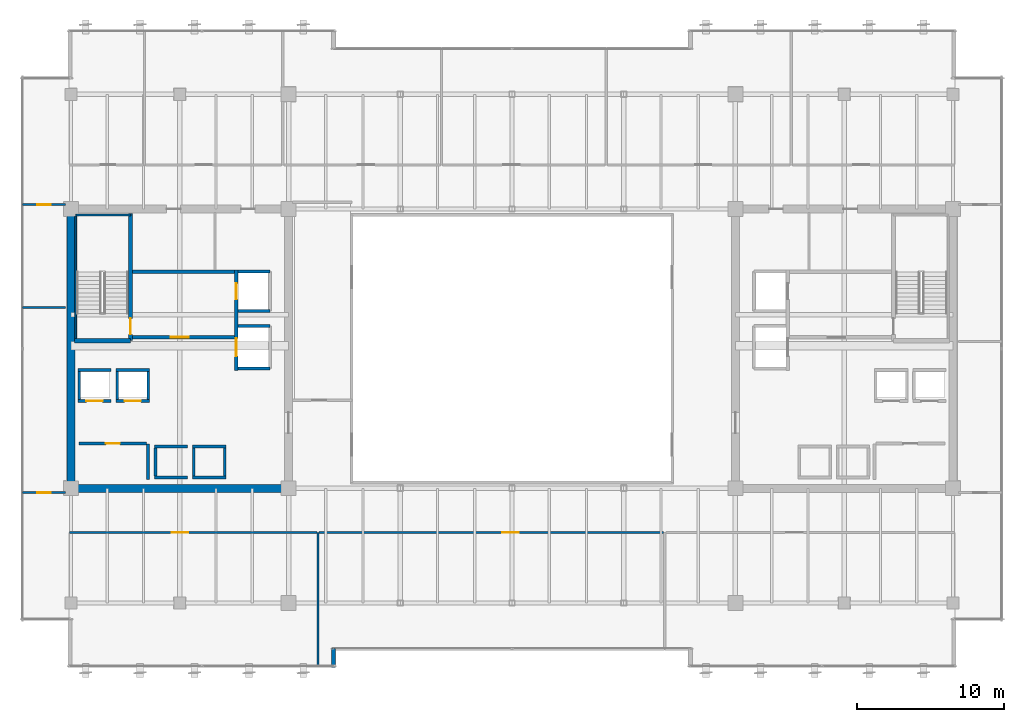
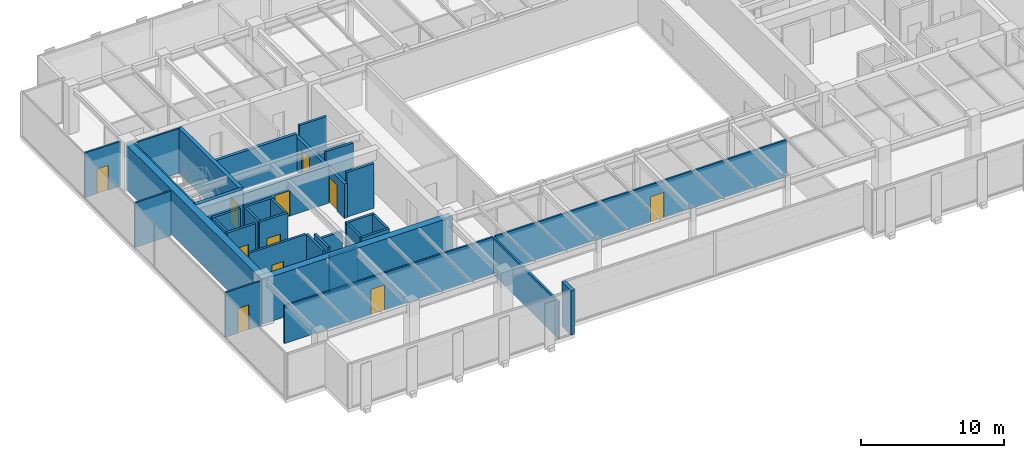
# One storey, part 28 of 35: 36 walls, 11 doors, 11 openings.
"""IFC4 building model written with IfcOpenShell, lengths in metres."""

from ifc_helpers import new_model, si_unit, direction, frame, frame_2d, origin, place, context, subcontext, project, spatial, rectangle, extrude, source, transform, mapped, material, layer, layer_set, type_object, type_shapes, element, fill, save


model = new_model("IFC4")

# Units and contexts
model_context = context("Model", 3, precision=1e-05, world=origin(), true_north=direction((0.0, 1.0)))
body_context = subcontext(model_context, "Body", "Model", "MODEL_VIEW")
ifc_project = project(units=[si_unit("LENGTHUNIT", "METRE"), si_unit("AREAUNIT", "SQUARE_METRE"), si_unit("VOLUMEUNIT", "CUBIC_METRE"), si_unit("PLANEANGLEUNIT", "RADIAN"), si_unit("MASSUNIT", "GRAM", prefix="KILO")], contexts=[model_context])

# Site, building, storey
site_placement = place(None, origin())
site = spatial("IfcSite", under=ifc_project, at=site_placement, CompositionType="ELEMENT")
building_placement = place(site_placement, origin())
building = spatial("IfcBuilding", under=site, at=building_placement, Name="Haelvirn Gate Laboratories", CompositionType="ELEMENT")
storey_placement = place(building_placement, frame((0.0, 0.0, 201.39990234375)))
storey = spatial("IfcBuildingStorey", under=building, at=storey_placement, Name="L48", CompositionType="ELEMENT", Elevation=201.39990234375)

# Walls
ifc_material_1 = material(Name="Thermally-broken bronze aluminium rainscreen & mineral wool", Category="aluminium")
ifc_layer_1 = layer(ifc_material_1, 0.280029296875, Name="EW-TERR-280")
ifc_layer_set_1 = layer_set([ifc_layer_1], Name="Thermally-broken bronze aluminium rainscreen & mineral wool")
wall_type_1 = type_object("IfcWallType", Name="EW-TERR-280", PredefinedType="STANDARD", material=ifc_layer_set_1)
wall_1_placement = place(storey_placement, frame((25.260009765625, 2.60009765625, 0.0), z_axis=(0.0, 0.0, 1.0), x_axis=(0.0, 1.0, 0.0)))
element("IfcWall", 1, at=wall_1_placement, inside=storey, type_object=wall_type_1, Name="L48 Atrium Recess Bronze Return Wall 01", PredefinedType="STANDARD", context=body_context, shape_type="SweptSolid", body=[
    extrude(rectangle(XDim=1.29296875, YDim=0.280029296875, at=frame_2d((0.646484375, 0.0))), origin(), (0.0, 0.0, 1.0), 3.800048828125),
])
ifc_material_2 = material(Name="Double-layer acoustic gypsum laboratory partition", Category="gypsum")
ifc_layer_2 = layer(ifc_material_2, 0.159912109375, Name="IW-ACOUST-160")
ifc_layer_set_2 = layer_set([ifc_layer_2], Name="Double-layer acoustic gypsum laboratory partition")
wall_type_2 = type_object("IfcWallType", Name="IW-ACOUST-160", PredefinedType="PARTITIONING", material=ifc_layer_set_2)
wall_2_placement = place(storey_placement, frame((24.199951171875, 2.7099609375, 0.0), z_axis=(0.0, 0.0, 1.0), x_axis=(0.0, 1.0, 0.0)))
element("IfcWall", 2, at=wall_2_placement, inside=storey, type_object=wall_type_2, Name="L48 Interior Wall IW-L48-SDIV-01", PredefinedType="PARTITIONING", context=body_context, shape_type="SweptSolid", body=[
    extrude(rectangle(XDim=9.080078125, YDim=0.159912109375, at=frame_2d((4.5400390625, 0.0))), origin(), (0.0, 0.0, 1.0), 3.135009765625),
])

# Wall, opening, door
ifc_material_3 = material(Name="Acoustic mineral-wool gypsum board partition", Category="gypsum")
ifc_layer_3 = layer(ifc_material_3, 0.139892578125, Name="IW-PART-140")
ifc_layer_set_3 = layer_set([ifc_layer_3], Name="Acoustic mineral-wool gypsum board partition")
wall_type_3 = type_object("IfcWallType", Name="IW-PART-140", PredefinedType="PARTITIONING", material=ifc_layer_set_3)
wall_3_placement = place(storey_placement, frame((7.31005859375, 11.7900390625, 0.0), z_axis=(0.0, 0.0, 1.0), x_axis=(1.0, 0.0, 0.0)))
wall_3 = element("IfcWall", 3, at=wall_3_placement, inside=storey, type_object=wall_type_3, Name="L48 Interior Wall IW-L48-SCORR-01", PredefinedType="PARTITIONING", context=body_context, shape_type="SweptSolid", body=[
    extrude(rectangle(XDim=16.81005859375, YDim=0.139892578125, at=frame_2d((8.405029296875, 0.0))), origin(), (0.0, 0.0, 1.0), 3.197021484375),
])
opening_1_placement = place(wall_3_placement, frame((6.954345703125, 0.0, 0.0)))
opening_1 = element("IfcOpeningElement", 4, at=opening_1_placement, cuts=wall_3, Name="Opening D1", PredefinedType="OPENING", context=body_context, shape_type="SweptSolid", body=[
    extrude(rectangle(XDim=1.10009765625, YDim=2.179931640625, at=frame_2d((0.550048828125, 1.08984375))), frame((0.0, 0.080078125, 0.0), z_axis=(0.0, -1.0, 0.0), x_axis=(1.0, 0.0, 0.0)), (0.0, 0.0, 1.0), 0.159912109375),
])
ifc_material_4 = material(Name="Vision-panel acoustic solid-core timber lab door", Category="wood")
door_type_1 = type_object("IfcDoorType", Name="DR-LAB-1100", OperationType="NOTDEFINED", PredefinedType="DOOR", material=ifc_material_4)
shared_shape_1 = source(origin(), body_context, "Body", "SweptSolid", [
    extrude(rectangle(XDim=1.10009765625, YDim=2.179931640625, at=frame_2d((0.550048828125, 1.08984375))), frame((0.0, 0.02490234375, 0.0), z_axis=(0.0, -1.0, 0.0), x_axis=(1.0, 0.0, 0.0)), (0.0, 0.0, 1.0), 0.050048828125),
])
type_shapes(door_type_1, [shared_shape_1])
door_1_placement = place(opening_1_placement, origin())
door_1 = element("IfcDoor", 5, at=door_1_placement, inside=storey, type_object=door_type_1, Name="L48 Translational Data Office Door S1", OperationType="SINGLE_SWING_LEFT", OverallHeight=2.179931640625, OverallWidth=1.10009765625, PredefinedType="DOOR", context=body_context, shape_type="MappedRepresentation", body=[
    mapped(shared_shape_1, transform((0.0, 0.0, 0.0), scale=1.0)),
])
fill(opening_1, door_1)

wall_4_placement = place(storey_placement, frame((24.280029296875, 11.7900390625, 0.0), z_axis=(0.0, 0.0, 1.0), x_axis=(1.0, 0.0, 0.0)))
wall_4 = element("IfcWall", 6, at=wall_4_placement, inside=storey, type_object=wall_type_3, Name="L48 Interior Wall IW-L48-SCORR-02", PredefinedType="PARTITIONING", context=body_context, shape_type="SweptSolid", body=[
    extrude(rectangle(XDim=23.43994140625, YDim=0.139892578125, at=frame_2d((11.719970703125, 0.0))), origin(), (0.0, 0.0, 1.0), 3.197021484375),
])
opening_2_placement = place(wall_4_placement, frame((12.468505859375, 0.0, 0.0)))
opening_2 = element("IfcOpeningElement", 7, at=opening_2_placement, cuts=wall_4, Name="Opening D1", PredefinedType="OPENING", context=body_context, shape_type="SweptSolid", body=[
    extrude(rectangle(XDim=1.10009765625, YDim=2.179931640625, at=frame_2d((0.550048828125, 1.08984375))), frame((0.0, 0.080078125, 0.0), z_axis=(0.0, -1.0, 0.0), x_axis=(1.0, 0.0, 0.0)), (0.0, 0.0, 1.0), 0.159912109375),
])
door_2_placement = place(opening_2_placement, origin())
door_2 = element("IfcDoor", 8, at=door_2_placement, inside=storey, type_object=door_type_1, Name="L48 Computational Write-Up Office Door S2", OperationType="SINGLE_SWING_RIGHT", OverallHeight=2.179931640625, OverallWidth=1.10009765625, PredefinedType="DOOR", context=body_context, shape_type="MappedRepresentation", body=[
    mapped(shared_shape_1, transform((0.0, 0.0, 0.0), scale=1.0)),
])
fill(opening_2, door_2)

# Wall
wall_5_placement = place(storey_placement, frame((4.110107421875, 27.10009765625, 0.0), z_axis=(0.0, 0.0, 1.0), x_axis=(1.0, 0.0, 0.0)))
element("IfcWall", 9, at=wall_5_placement, inside=storey, type_object=wall_type_3, Name="L48 Interior Wall IW-L48-WZ3-MID", PredefinedType="PARTITIONING", context=body_context, shape_type="SweptSolid", body=[
    extrude(rectangle(XDim=2.909912109375, YDim=0.139892578125, at=frame_2d((1.455078125, 0.0))), origin(), (0.0, 0.0, 1.0), 3.800048828125),
])

# Wall, opening, door
wall_6_placement = place(storey_placement, frame((4.110107421875, 14.5048828125, 0.0), z_axis=(0.0, 0.0, 1.0), x_axis=(1.0, 0.0, 0.0)))
wall_6 = element("IfcWall", 10, at=wall_6_placement, inside=storey, type_object=wall_type_3, Name="L48 Interior Wall IW-L48-WZ3-ENT-S", PredefinedType="PARTITIONING", context=body_context, shape_type="SweptSolid", body=[
    extrude(rectangle(XDim=2.909912109375, YDim=0.139892578125, at=frame_2d((1.455078125, 0.0))), origin(), (0.0, 0.0, 1.0), 3.800048828125),
])
opening_3_placement = place(wall_6_placement, frame((1.0048828125, 0.0, 0.0)))
opening_3 = element("IfcOpeningElement", 11, at=opening_3_placement, cuts=wall_6, Name="Opening D4", PredefinedType="OPENING", context=body_context, shape_type="SweptSolid", body=[
    extrude(rectangle(XDim=0.89990234375, YDim=2.10009765625, at=frame_2d((0.449951171875, 1.050048828125))), frame((0.0, 0.080078125, 0.0), z_axis=(0.0, -1.0, 0.0), x_axis=(1.0, 0.0, 0.0)), (0.0, 0.0, 1.0), 0.159912109375),
])
ifc_material_5 = material(Name="Glazed aluminium-framed write-up door", Category="aluminium")
door_type_2 = type_object("IfcDoorType", Name="DR-OFF-900", OperationType="NOTDEFINED", PredefinedType="DOOR", material=ifc_material_5)
shared_shape_2 = source(origin(), body_context, "Body", "SweptSolid", [
    extrude(rectangle(XDim=0.89990234375, YDim=2.10009765625, at=frame_2d((0.449951171875, 1.050048828125))), frame((0.0, 0.02490234375, 0.0), z_axis=(0.0, -1.0, 0.0), x_axis=(1.0, 0.0, 0.0)), (0.0, 0.0, 1.0), 0.050048828125),
])
type_shapes(door_type_2, [shared_shape_2])
door_3_placement = place(opening_3_placement, origin())
door_3 = element("IfcDoor", 12, at=door_3_placement, inside=storey, type_object=door_type_2, Name="L48 Colloquium Conference Room Door W-S", OperationType="SINGLE_SWING_LEFT", OverallHeight=2.10009765625, OverallWidth=0.89990234375, PredefinedType="DOOR", context=body_context, shape_type="MappedRepresentation", body=[
    mapped(shared_shape_2, transform((0.0, 0.0, 0.0), scale=1.0)),
])
fill(opening_3, door_3)

wall_7_placement = place(storey_placement, frame((4.110107421875, 34.094970703125, 0.0), z_axis=(0.0, 0.0, 1.0), x_axis=(1.0, 0.0, 0.0)))
wall_7 = element("IfcWall", 13, at=wall_7_placement, inside=storey, type_object=wall_type_3, Name="L48 Interior Wall IW-L48-WZ3-ENT-N", PredefinedType="PARTITIONING", context=body_context, shape_type="SweptSolid", body=[
    extrude(rectangle(XDim=2.909912109375, YDim=0.139892578125, at=frame_2d((1.455078125, 0.0))), origin(), (0.0, 0.0, 1.0), 3.800048828125),
])
opening_4_placement = place(wall_7_placement, frame((1.0048828125, 0.0, 0.0)))
opening_4 = element("IfcOpeningElement", 14, at=opening_4_placement, cuts=wall_7, Name="Opening D4", PredefinedType="OPENING", context=body_context, shape_type="SweptSolid", body=[
    extrude(rectangle(XDim=0.89990234375, YDim=2.10009765625, at=frame_2d((0.449951171875, 1.050048828125))), frame((0.0, 0.080078125, 0.0), z_axis=(0.0, -1.0, 0.0), x_axis=(1.0, 0.0, 0.0)), (0.0, 0.0, 1.0), 0.159912109375),
])
door_4_placement = place(opening_4_placement, origin())
door_4 = element("IfcDoor", 15, at=door_4_placement, inside=storey, type_object=door_type_2, Name="L48 Researcher Break Pantry Door W-N", OperationType="SINGLE_SWING_RIGHT", OverallHeight=2.10009765625, OverallWidth=0.89990234375, PredefinedType="DOOR", context=body_context, shape_type="MappedRepresentation", body=[
    mapped(shared_shape_2, transform((0.0, 0.0, 0.0), scale=1.0)),
])
fill(opening_4, door_4)

# Walls
ifc_material_6 = material(Name="Concrete C40/50", Category="concrete")
ifc_layer_4 = layer(ifc_material_6, 0.179931640625, Name="IW-SHAFT-180")
ifc_layer_set_4 = layer_set([ifc_layer_4], Name="Concrete C40/50")
wall_type_4 = type_object("IfcWallType", Name="IW-SHAFT-180", PredefinedType="SOLIDWALL", material=ifc_layer_set_4)
for number, where, z_axis, x_axis, name in (
    (16, (13.14990234375, 15.64990234375, 0.0), (0.0, 0.0, 1.0), (0.0, 1.0, 0.0), "L48 Interior Wall IW-L48-PL5-SD"),
    (17, (15.75, 15.64990234375, 0.0), (0.0, 0.0, 1.0), (0.0, 1.0, 0.0), "L48 Interior Wall IW-L48-PL6-SD"),
    (18, (17.85009765625, 15.64990234375, 0.0), (0.0, 0.0, 1.0), (0.0, 1.0, 0.0), "L48 Interior Wall IW-L48-PL6-SDE"),
):
    element("IfcWall", number, at=place(storey_placement, frame(where, z_axis=z_axis, x_axis=x_axis)), inside=storey, type_object=wall_type_4, Name=name, PredefinedType="SOLIDWALL", context=body_context, shape_type="SweptSolid", body=[
        extrude(rectangle(XDim=1.900146484375, YDim=0.179931640625, at=frame_2d((0.9501953125, 0.0))), origin(), (0.0, 0.0, 1.0), 3.800048828125),
    ])
for number, where, z_axis, x_axis, name in (
    (19, (7.949951171875, 20.85009765625, 0.0), (0.0, 0.0, 1.0), (0.0, 1.0, 0.0), "L48 Interior Wall IW-L48-PL9-SD"),
    (20, (10.550048828125, 20.85009765625, 0.0), (0.0, 0.0, 1.0), (0.0, 1.0, 0.0), "L48 Interior Wall IW-L48-PL10-SD"),
    (21, (12.64990234375, 20.85009765625, 0.0), (0.0, 0.0, 1.0), (0.0, 1.0, 0.0), "L48 Interior Wall IW-L48-PL10-SDE"),
):
    element("IfcWall", number, at=place(storey_placement, frame(where, z_axis=z_axis, x_axis=x_axis)), inside=storey, type_object=wall_type_4, Name=name, PredefinedType="SOLIDWALL", context=body_context, shape_type="SweptSolid", body=[
        extrude(rectangle(XDim=1.89990234375, YDim=0.179931640625, at=frame_2d((0.949951171875, 0.0))), origin(), (0.0, 0.0, 1.0), 3.800048828125),
    ])

# Wall, opening, door
wall_8_placement = place(storey_placement, frame((7.949951171875, 17.85009765625, 0.0), z_axis=(0.0, 0.0, 1.0), x_axis=(1.0, 0.0, 0.0)))
wall_8 = element("IfcWall", 22, at=wall_8_placement, inside=storey, type_object=wall_type_4, Name="L48 Interior Wall IW-L48-W-FREED-LN-1", PredefinedType="SOLIDWALL", context=body_context, shape_type="SweptSolid", body=[
    extrude(rectangle(XDim=4.60009765625, YDim=0.179931640625, at=frame_2d((2.300048828125, 0.0))), origin(), (0.0, 0.0, 1.0), 3.800048828125),
])
opening_5_placement = place(wall_8_placement, frame((1.824951171875, 0.0, 0.0)))
opening_5 = element("IfcOpeningElement", 23, at=opening_5_placement, cuts=wall_8, Name="Opening FD4", PredefinedType="OPENING", context=body_context, shape_type="SweptSolid", body=[
    extrude(rectangle(XDim=0.949951171875, YDim=2.14990234375, at=frame_2d((0.47509765625, 1.074951171875))), frame((0.0, 0.10009765625, 0.0), z_axis=(0.0, -1.0, 0.0), x_axis=(1.0, 0.0, 0.0)), (0.0, 0.0, 1.0), 0.199951171875),
])
ifc_material_7 = material(Name="Fire-rated steel SM355 core service door", Category="steel")
door_type_3 = type_object("IfcDoorType", Name="DR-FD-950", OperationType="NOTDEFINED", PredefinedType="DOOR", material=ifc_material_7)
shared_shape_3 = source(origin(), body_context, "Body", "SweptSolid", [
    extrude(rectangle(XDim=0.949951171875, YDim=2.14990234375, at=frame_2d((0.47509765625, 1.074951171875))), frame((0.0, 0.02490234375, 0.0), z_axis=(0.0, -1.0, 0.0), x_axis=(1.0, 0.0, 0.0)), (0.0, 0.0, 1.0), 0.050048828125),
])
type_shapes(door_type_3, [shared_shape_3])
door_5_placement = place(opening_5_placement, origin())
door_5 = element("IfcDoor", 24, at=door_5_placement, inside=storey, type_object=door_type_3, Name="L48 Cryogenic Specimen Biobank Door", OperationType="SINGLE_SWING_LEFT", OverallHeight=2.14990234375, OverallWidth=0.949951171875, PredefinedType="DOOR", context=body_context, shape_type="MappedRepresentation", body=[
    mapped(shared_shape_3, transform((0.0, 0.0, 0.0), scale=1.0)),
])
fill(opening_5, door_5)

# Walls
wall_9_placement = place(storey_placement, frame((12.639892578125, 15.39990234375, 0.0), z_axis=(0.0, 0.0, 1.0), x_axis=(0.0, 1.0, 0.0)))
element("IfcWall", 25, at=wall_9_placement, inside=storey, type_object=wall_type_4, Name="L48 Interior Wall IW-L48-W-FREED-LE-1", PredefinedType="SOLIDWALL", context=body_context, shape_type="SweptSolid", body=[
    extrude(rectangle(XDim=2.400146484375, YDim=0.179931640625, at=frame_2d((1.2001953125, 0.0))), origin(), (0.0, 0.0, 1.0), 3.800048828125),
])
ifc_layer_5 = layer(ifc_material_6, 0.199951171875, Name="IW-SHAFT-200")
ifc_layer_set_5 = layer_set([ifc_layer_5], Name="Concrete C40/50")
wall_type_5 = type_object("IfcWallType", Name="IW-SHAFT-200", PredefinedType="SOLIDWALL", material=ifc_layer_set_5)
for number, where, z_axis, x_axis, name in (
    (26, (13.070068359375, 17.64990234375, 0.0), (0.0, 0.0, 1.0), (1.0, 0.0, 0.0), "L48 Interior Wall IW-L48-PL5-FR"),
    (27, (13.070068359375, 15.550048828125, 0.0), (0.0, 0.0, 1.0), (1.0, 0.0, 0.0), "L48 Interior Wall IW-L48-PL5-BK"),
):
    element("IfcWall", number, at=place(storey_placement, frame(where, z_axis=z_axis, x_axis=x_axis)), inside=storey, type_object=wall_type_5, Name=name, PredefinedType="SOLIDWALL", context=body_context, shape_type="SweptSolid", body=[
        extrude(rectangle(XDim=2.260009765625, YDim=0.199951171875, at=frame_2d((1.1298828125, 0.0))), origin(), (0.0, 0.0, 1.0), 3.197021484375),
    ])
for number, where, z_axis, x_axis, name in (
    (28, (15.669921875, 17.64990234375, 0.0), (0.0, 0.0, 1.0), (1.0, 0.0, 0.0), "L48 Interior Wall IW-L48-PL6-FR"),
    (29, (15.669921875, 15.550048828125, 0.0), (0.0, 0.0, 1.0), (1.0, 0.0, 0.0), "L48 Interior Wall IW-L48-PL6-BK"),
):
    element("IfcWall", number, at=place(storey_placement, frame(where, z_axis=z_axis, x_axis=x_axis)), inside=storey, type_object=wall_type_5, Name=name, PredefinedType="SOLIDWALL", context=body_context, shape_type="SweptSolid", body=[
        extrude(rectangle(XDim=2.260009765625, YDim=0.199951171875, at=frame_2d((1.1298828125, 0.0))), origin(), (0.0, 0.0, 1.0), 3.800048828125),
    ])

# Wall, opening, door
wall_10_placement = place(storey_placement, frame((7.8701171875, 20.75, 0.0), z_axis=(0.0, 0.0, 1.0), x_axis=(1.0, 0.0, 0.0)))
wall_10 = element("IfcWall", 30, at=wall_10_placement, inside=storey, type_object=wall_type_5, Name="L48 Interior Wall IW-L48-PL9-FR", PredefinedType="SOLIDWALL", context=body_context, shape_type="SweptSolid", body=[
    extrude(rectangle(XDim=2.259765625, YDim=0.199951171875, at=frame_2d((1.1298828125, 0.0))), origin(), (0.0, 0.0, 1.0), 3.800048828125),
])
opening_6_placement = place(wall_10_placement, frame((0.580078125, 0.0, 0.0)))
opening_6 = element("IfcOpeningElement", 31, at=opening_6_placement, cuts=wall_10, Name="Opening LD2", PredefinedType="OPENING", context=body_context, shape_type="SweptSolid", body=[
    extrude(rectangle(XDim=1.10009765625, YDim=2.219970703125, at=frame_2d((0.550048828125, 1.10986328125))), frame((0.0, 0.10986328125, 0.0), z_axis=(0.0, -1.0, 0.0), x_axis=(1.0, 0.0, 0.0)), (0.0, 0.0, 1.0), 0.219970703125),
])
ifc_material_8 = material(Name="Bronze stainless 316L sliding lift landing door")
door_type_4 = type_object("IfcDoorType", Name="DR-LD-1100", OperationType="NOTDEFINED", PredefinedType="USERDEFINED", material=ifc_material_8)
shared_shape_4 = source(origin(), body_context, "Body", "SweptSolid", [
    extrude(rectangle(XDim=1.10009765625, YDim=2.219970703125, at=frame_2d((0.550048828125, 1.10986328125))), frame((0.0, 0.02490234375, 0.0), z_axis=(0.0, -1.0, 0.0), x_axis=(1.0, 0.0, 0.0)), (0.0, 0.0, 1.0), 0.050048828125),
])
type_shapes(door_type_4, [shared_shape_4])
door_6_placement = place(opening_6_placement, origin())
door_6 = element("IfcDoor", 32, at=door_6_placement, inside=storey, type_object=door_type_4, Name="L48 Passenger Lift PL9 Landing Door", ObjectType="LANDING_DOOR", OperationType="SLIDING_TO_LEFT", OverallHeight=2.219970703125, OverallWidth=1.10009765625, PredefinedType="USERDEFINED", context=body_context, shape_type="MappedRepresentation", body=[
    mapped(shared_shape_4, transform((0.0, 0.0, 0.0), scale=1.0)),
])
fill(opening_6, door_6)

# Wall
wall_11_placement = place(storey_placement, frame((7.8701171875, 22.85009765625, 0.0), z_axis=(0.0, 0.0, 1.0), x_axis=(1.0, 0.0, 0.0)))
element("IfcWall", 33, at=wall_11_placement, inside=storey, type_object=wall_type_5, Name="L48 Interior Wall IW-L48-PL9-BK", PredefinedType="SOLIDWALL", context=body_context, shape_type="SweptSolid", body=[
    extrude(rectangle(XDim=2.259765625, YDim=0.199951171875, at=frame_2d((1.1298828125, 0.0))), origin(), (0.0, 0.0, 1.0), 3.800048828125),
])

# Wall, opening, door
wall_12_placement = place(storey_placement, frame((10.469970703125, 20.75, 0.0), z_axis=(0.0, 0.0, 1.0), x_axis=(1.0, 0.0, 0.0)))
wall_12 = element("IfcWall", 34, at=wall_12_placement, inside=storey, type_object=wall_type_5, Name="L48 Interior Wall IW-L48-PL10-FR", PredefinedType="SOLIDWALL", context=body_context, shape_type="SweptSolid", body=[
    extrude(rectangle(XDim=2.260009765625, YDim=0.199951171875, at=frame_2d((1.1298828125, 0.0))), origin(), (0.0, 0.0, 1.0), 3.800048828125),
])
opening_7_placement = place(wall_12_placement, frame((0.580078125, 0.0, 0.0)))
opening_7 = element("IfcOpeningElement", 35, at=opening_7_placement, cuts=wall_12, Name="Opening LD2", PredefinedType="OPENING", context=body_context, shape_type="SweptSolid", body=[
    extrude(rectangle(XDim=1.10009765625, YDim=2.219970703125, at=frame_2d((0.550048828125, 1.10986328125))), frame((0.0, 0.10986328125, 0.0), z_axis=(0.0, -1.0, 0.0), x_axis=(1.0, 0.0, 0.0)), (0.0, 0.0, 1.0), 0.219970703125),
])
door_7_placement = place(opening_7_placement, origin())
door_7 = element("IfcDoor", 36, at=door_7_placement, inside=storey, type_object=door_type_4, Name="L48 Passenger Lift PL10 Landing Door", ObjectType="LANDING_DOOR", OperationType="SLIDING_TO_RIGHT", OverallHeight=2.219970703125, OverallWidth=1.10009765625, PredefinedType="USERDEFINED", context=body_context, shape_type="MappedRepresentation", body=[
    mapped(shared_shape_4, transform((0.0, 0.0, 0.0), scale=1.0)),
])
fill(opening_7, door_7)

# Walls
wall_13_placement = place(storey_placement, frame((10.469970703125, 22.85009765625, 0.0), z_axis=(0.0, 0.0, 1.0), x_axis=(1.0, 0.0, 0.0)))
element("IfcWall", 37, at=wall_13_placement, inside=storey, type_object=wall_type_5, Name="L48 Interior Wall IW-L48-PL10-BK", PredefinedType="SOLIDWALL", context=body_context, shape_type="SweptSolid", body=[
    extrude(rectangle(XDim=2.260009765625, YDim=0.199951171875, at=frame_2d((1.1298828125, 0.0))), origin(), (0.0, 0.0, 1.0), 3.800048828125),
])
wall_14_placement = place(storey_placement, frame((18.760009765625, 29.550048828125, 0.0), z_axis=(0.0, 0.0, 1.0), x_axis=(1.0, 0.0, 0.0)))
element("IfcWall", 38, at=wall_14_placement, inside=storey, type_object=wall_type_5, Name="L48 Interior Wall IW-L48-FL1-N", PredefinedType="SOLIDWALL", context=body_context, shape_type="SweptSolid", body=[
    extrude(rectangle(XDim=2.18994140625, YDim=0.199951171875, at=frame_2d((1.094970703125, 0.0))), origin(), (0.0, 0.0, 1.0), 3.800048828125),
])
wall_15_placement = place(storey_placement, frame((18.760009765625, 26.85009765625, 0.0), z_axis=(0.0, 0.0, 1.0), x_axis=(1.0, 0.0, 0.0)))
element("IfcWall", 39, at=wall_15_placement, inside=storey, type_object=wall_type_5, Name="L48 Interior Wall IW-L48-FL1-S", PredefinedType="SOLIDWALL", context=body_context, shape_type="SweptSolid", body=[
    extrude(rectangle(XDim=2.18994140625, YDim=0.199951171875, at=frame_2d((1.094970703125, 0.0))), origin(), (0.0, 0.0, 1.0), 3.197021484375),
])
for number, where, z_axis, x_axis, name in (
    (40, (18.760009765625, 25.85009765625, 0.0), (0.0, 0.0, 1.0), (1.0, 0.0, 0.0), "L48 Interior Wall IW-L48-SL1-N"),
    (41, (18.760009765625, 22.949951171875, 0.0), (0.0, 0.0, 1.0), (1.0, 0.0, 0.0), "L48 Interior Wall IW-L48-SL1-S"),
):
    element("IfcWall", number, at=place(storey_placement, frame(where, z_axis=z_axis, x_axis=x_axis)), inside=storey, type_object=wall_type_5, Name=name, PredefinedType="SOLIDWALL", context=body_context, shape_type="SweptSolid", body=[
        extrude(rectangle(XDim=2.18994140625, YDim=0.199951171875, at=frame_2d((1.094970703125, 0.0))), origin(), (0.0, 0.0, 1.0), 3.800048828125),
    ])

# Wall, opening, door
ifc_layer_6 = layer(ifc_material_6, 0.239990234375, Name="IW-SHAFT-240")
ifc_layer_set_6 = layer_set([ifc_layer_6], Name="Concrete C40/50")
wall_type_6 = type_object("IfcWallType", Name="IW-SHAFT-240", PredefinedType="SOLIDWALL", material=ifc_layer_set_6)
wall_16_placement = place(storey_placement, frame((11.60009765625, 25.080078125, 0.0), z_axis=(0.0, 0.0, 1.0), x_axis=(1.0, 0.0, 0.0)))
wall_16 = element("IfcWall", 42, at=wall_16_placement, inside=storey, type_object=wall_type_6, Name="L48 Interior Wall IW-L48-W-FF-S", PredefinedType="SOLIDWALL", context=body_context, shape_type="SweptSolid", body=[
    extrude(rectangle(XDim=6.919921875, YDim=0.239990234375, at=frame_2d((3.4599609375, 0.0))), origin(), (0.0, 0.0, 1.0), 3.197021484375),
])
opening_8_placement = place(wall_16_placement, frame((2.60009765625, 0.0, 0.0)))
opening_8 = element("IfcOpeningElement", 43, at=opening_8_placement, cuts=wall_16, Name="Opening FD2", PredefinedType="OPENING", context=body_context, shape_type="SweptSolid", body=[
    extrude(rectangle(XDim=1.199951171875, YDim=2.159912109375, at=frame_2d((0.60009765625, 1.080078125))), frame((0.0, 0.1298828125, 0.0), z_axis=(0.0, -1.0, 0.0), x_axis=(1.0, 0.0, 0.0)), (0.0, 0.0, 1.0), 0.260009765625),
])
ifc_material_9 = material(Name="Fire-rated steel SM355 compartment door", Category="steel")
door_type_5 = type_object("IfcDoorType", Name="DR-FD-1200", OperationType="NOTDEFINED", PredefinedType="DOOR", material=ifc_material_9)
shared_shape_5 = source(origin(), body_context, "Body", "SweptSolid", [
    extrude(rectangle(XDim=1.199951171875, YDim=2.159912109375, at=frame_2d((0.60009765625, 1.080078125))), frame((0.0, 0.02490234375, 0.0), z_axis=(0.0, -1.0, 0.0), x_axis=(1.0, 0.0, 0.0)), (0.0, 0.0, 1.0), 0.050048828125),
])
type_shapes(door_type_5, [shared_shape_5])
door_8_placement = place(opening_8_placement, origin())
door_8 = element("IfcDoor", 44, at=door_8_placement, inside=storey, type_object=door_type_5, Name="L48 West Firefighting Lobby Door", OperationType="SINGLE_SWING_RIGHT", OverallHeight=2.159912109375, OverallWidth=1.199951171875, PredefinedType="DOOR", context=body_context, shape_type="MappedRepresentation", body=[
    mapped(shared_shape_5, transform((0.0, 0.0, 0.0), scale=1.0)),
])
fill(opening_8, door_8)

# Wall
wall_17_placement = place(storey_placement, frame((11.60009765625, 29.52001953125, 0.0), z_axis=(0.0, 0.0, 1.0), x_axis=(1.0, 0.0, 0.0)))
element("IfcWall", 45, at=wall_17_placement, inside=storey, type_object=wall_type_6, Name="L48 Interior Wall IW-L48-W-FF-N", PredefinedType="SOLIDWALL", context=body_context, shape_type="SweptSolid", body=[
    extrude(rectangle(XDim=6.919921875, YDim=0.239990234375, at=frame_2d((3.4599609375, 0.0))), origin(), (0.0, 0.0, 1.0), 3.197021484375),
])

# Wall, openings, doors
wall_18_placement = place(storey_placement, frame((18.639892578125, 22.800048828125, 0.0), z_axis=(0.0, 0.0, 1.0), x_axis=(0.0, 1.0, 0.0)))
wall_18 = element("IfcWall", 46, at=wall_18_placement, inside=storey, type_object=wall_type_6, Name="L48 Interior Wall IW-L48-W-FF-E", PredefinedType="SOLIDWALL", context=body_context, shape_type="SweptSolid", body=[
    extrude(rectangle(XDim=6.849853515625, YDim=0.239990234375, at=frame_2d((3.4248046875, 0.0))), origin(), (0.0, 0.0, 1.0), 2.93505859375),
])
opening_9_placement = place(wall_18_placement, frame((4.85009765625, 0.0, 0.0)))
opening_9 = element("IfcOpeningElement", 47, at=opening_9_placement, cuts=wall_18, Name="Opening LD2", PredefinedType="OPENING", context=body_context, shape_type="SweptSolid", body=[
    extrude(rectangle(XDim=1.10009765625, YDim=2.219970703125, at=frame_2d((0.550048828125, 1.10986328125))), frame((0.0, 0.1298828125, 0.0), z_axis=(0.0, -1.0, 0.0), x_axis=(1.0, 0.0, 0.0)), (0.0, 0.0, 1.0), 0.260009765625),
])
opening_10_placement = place(wall_18_placement, frame((1.0, 0.0, 0.0)))
opening_10 = element("IfcOpeningElement", 48, at=opening_10_placement, cuts=wall_18, Name="Opening LD1", PredefinedType="OPENING", context=body_context, shape_type="SweptSolid", body=[
    extrude(rectangle(XDim=1.199951171875, YDim=2.219970703125, at=frame_2d((0.60009765625, 1.10986328125))), frame((0.0, 0.1298828125, 0.0), z_axis=(0.0, -1.0, 0.0), x_axis=(1.0, 0.0, 0.0)), (0.0, 0.0, 1.0), 0.260009765625),
])
door_9_placement = place(opening_9_placement, origin())
door_9 = element("IfcDoor", 49, at=door_9_placement, inside=storey, type_object=door_type_4, Name="L48 Firefighting Lift FL1 Landing Door", ObjectType="LANDING_DOOR", OperationType="SLIDING_TO_LEFT", OverallHeight=2.219970703125, OverallWidth=1.10009765625, PredefinedType="USERDEFINED", context=body_context, shape_type="MappedRepresentation", body=[
    mapped(shared_shape_4, transform((0.0, 0.0, 0.0), scale=1.0)),
])
fill(opening_9, door_9)
ifc_material_10 = material(Name="Stainless steel 316L sliding goods landing door", Category="steel")
door_type_6 = type_object("IfcDoorType", Name="DR-LD-1200", OperationType="NOTDEFINED", PredefinedType="USERDEFINED", material=ifc_material_10)
shared_shape_6 = source(origin(), body_context, "Body", "SweptSolid", [
    extrude(rectangle(XDim=1.199951171875, YDim=2.219970703125, at=frame_2d((0.60009765625, 1.10986328125))), frame((0.0, 0.02490234375, 0.0), z_axis=(0.0, -1.0, 0.0), x_axis=(1.0, 0.0, 0.0)), (0.0, 0.0, 1.0), 0.050048828125),
])
type_shapes(door_type_6, [shared_shape_6])
door_10_placement = place(opening_10_placement, origin())
door_10 = element("IfcDoor", 50, at=door_10_placement, inside=storey, type_object=door_type_6, Name="L48 Service Lift SL1 Landing Door", ObjectType="LANDING_DOOR", OperationType="SLIDING_TO_RIGHT", OverallHeight=2.219970703125, OverallWidth=1.199951171875, PredefinedType="USERDEFINED", context=body_context, shape_type="MappedRepresentation", body=[
    mapped(shared_shape_6, transform((0.0, 0.0, 0.0), scale=1.0)),
])
fill(opening_10, door_10)

# Walls
ifc_material_11 = material(Name="Concrete C50/60", Category="concrete")
ifc_layer_7 = layer(ifc_material_11, 0.550048828125, Name="SW-CORE-550")
ifc_layer_set_7 = layer_set([ifc_layer_7], Name="Concrete C50/60")
wall_type_7 = type_object("IfcWallType", Name="SW-CORE-550", PredefinedType="SHEAR", material=ifc_layer_set_7)
wall_19_placement = place(storey_placement, frame((7.125, 14.800048828125, 0.0), z_axis=(0.0, 0.0, 1.0), x_axis=(1.0, 0.0, 0.0)))
element("IfcWall", 51, at=wall_19_placement, inside=storey, type_object=wall_type_7, Name="L48 W Core Shear Wall S", PredefinedType="SHEAR", context=body_context, shape_type="SweptSolid", body=[
    extrude(rectangle(XDim=15.35009765625, YDim=0.550048828125, at=frame_2d((7.675048828125, 0.0))), origin(), (0.0, 0.0, 1.0), 3.800048828125),
])
wall_20_placement = place(storey_placement, frame((7.39990234375, 15.074951171875, 0.0), z_axis=(0.0, 0.0, 1.0), x_axis=(0.0, 1.0, 0.0)))
element("IfcWall", 52, at=wall_20_placement, inside=storey, type_object=wall_type_7, Name="L48 W Core Shear Wall W", PredefinedType="SHEAR", context=body_context, shape_type="SweptSolid", body=[
    extrude(rectangle(XDim=18.449951171875, YDim=0.550048828125, at=frame_2d((9.22509765625, 0.0))), origin(), (0.0, 0.0, 1.0), 3.800048828125),
])
ifc_layer_8 = layer(ifc_material_11, 0.1201171875, Name="SW-LINER-120")
ifc_layer_set_8 = layer_set([ifc_layer_8], Name="Concrete C50/60")
wall_type_8 = type_object("IfcWallType", Name="SW-LINER-120", PredefinedType="SOLIDWALL", material=ifc_layer_set_8)
wall_21_placement = place(storey_placement, frame((7.72998046875, 33.39990234375, 0.0), z_axis=(0.0, 0.0, 1.0), x_axis=(1.0, 0.0, 0.0)))
element("IfcWall", 53, at=wall_21_placement, inside=storey, type_object=wall_type_8, Name="L48 W Core Stair Shaft Liner Wall N", PredefinedType="SOLIDWALL", context=body_context, shape_type="SweptSolid", body=[
    extrude(rectangle(XDim=3.719970703125, YDim=0.1201171875, at=frame_2d((1.85986328125, 0.0))), origin(), (0.0, 0.0, 1.0), 3.800048828125),
])
wall_22_placement = place(storey_placement, frame((7.72998046875, 25.0, 0.0), z_axis=(0.0, 0.0, 1.0), x_axis=(0.0, 1.0, 0.0)))
element("IfcWall", 54, at=wall_22_placement, inside=storey, type_object=wall_type_8, Name="L48 W Core Stair Shaft Liner Wall OUT", PredefinedType="SOLIDWALL", context=body_context, shape_type="SweptSolid", body=[
    extrude(rectangle(XDim=8.320068359375, YDim=0.1201171875, at=frame_2d((4.16015625, 0.0))), origin(), (0.0, 0.0, 1.0), 3.800048828125),
])

# Wall, opening, door
ifc_layer_9 = layer(ifc_material_11, 0.300048828125, Name="SW-STAIR-300")
ifc_layer_set_9 = layer_set([ifc_layer_9], Name="Concrete C50/60")
wall_type_9 = type_object("IfcWallType", Name="SW-STAIR-300", PredefinedType="SHEAR", material=ifc_layer_set_9)
wall_23_placement = place(storey_placement, frame((11.449951171875, 24.85009765625, 0.0), z_axis=(0.0, 0.0, 1.0), x_axis=(0.0, 1.0, 0.0)))
wall_23 = element("IfcWall", 55, at=wall_23_placement, inside=storey, type_object=wall_type_9, Name="L48 W Core Stair Shaft Structural Wall IN", PredefinedType="SHEAR", context=body_context, shape_type="SweptSolid", body=[
    extrude(rectangle(XDim=8.6298828125, YDim=0.300048828125, at=frame_2d((4.31494140625, 0.0))), origin(), (0.0, 0.0, 1.0), 3.800048828125),
])
opening_11_placement = place(wall_23_placement, frame((0.419921875, 0.0, 0.0)))
opening_11 = element("IfcOpeningElement", 56, at=opening_11_placement, cuts=wall_23, Name="Opening FD3", PredefinedType="OPENING", context=body_context, shape_type="SweptSolid", body=[
    extrude(rectangle(XDim=1.10009765625, YDim=2.14990234375, at=frame_2d((0.550048828125, 1.074951171875))), frame((0.0, 0.16015625, 0.0), z_axis=(0.0, -1.0, 0.0), x_axis=(1.0, 0.0, 0.0)), (0.0, 0.0, 1.0), 0.320068359375),
])
ifc_material_12 = material(Name="Fire-rated steel SM355 escape stair door", Category="steel")
door_type_7 = type_object("IfcDoorType", Name="DR-FD-1100", OperationType="NOTDEFINED", PredefinedType="DOOR", material=ifc_material_12)
shared_shape_7 = source(origin(), body_context, "Body", "SweptSolid", [
    extrude(rectangle(XDim=1.10009765625, YDim=2.14990234375, at=frame_2d((0.550048828125, 1.074951171875))), frame((0.0, 0.02490234375, 0.0), z_axis=(0.0, -1.0, 0.0), x_axis=(1.0, 0.0, 0.0)), (0.0, 0.0, 1.0), 0.050048828125),
])
type_shapes(door_type_7, [shared_shape_7])
door_11_placement = place(opening_11_placement, origin())
door_11 = element("IfcDoor", 57, at=door_11_placement, inside=storey, type_object=door_type_7, Name="L48 Escape Stair ST1 Fire Door", OperationType="SINGLE_SWING_LEFT", OverallHeight=2.14990234375, OverallWidth=1.10009765625, PredefinedType="DOOR", context=body_context, shape_type="MappedRepresentation", body=[
    mapped(shared_shape_7, transform((0.0, 0.0, 0.0), scale=1.0)),
])
fill(opening_11, door_11)

# Wall
wall_24_placement = place(storey_placement, frame((7.64990234375, 24.85009765625, 0.0), z_axis=(0.0, 0.0, 1.0), x_axis=(1.0, 0.0, 0.0)))
element("IfcWall", 58, at=wall_24_placement, inside=storey, type_object=wall_type_9, Name="L48 W Core Stair Shaft Structural Wall S", PredefinedType="SHEAR", context=body_context, shape_type="SweptSolid", body=[
    extrude(rectangle(XDim=3.800048828125, YDim=0.300048828125, at=frame_2d((1.89990234375, 0.0))), origin(), (0.0, 0.0, 1.0), 3.800048828125),
])

save(model, "model.ifc")
